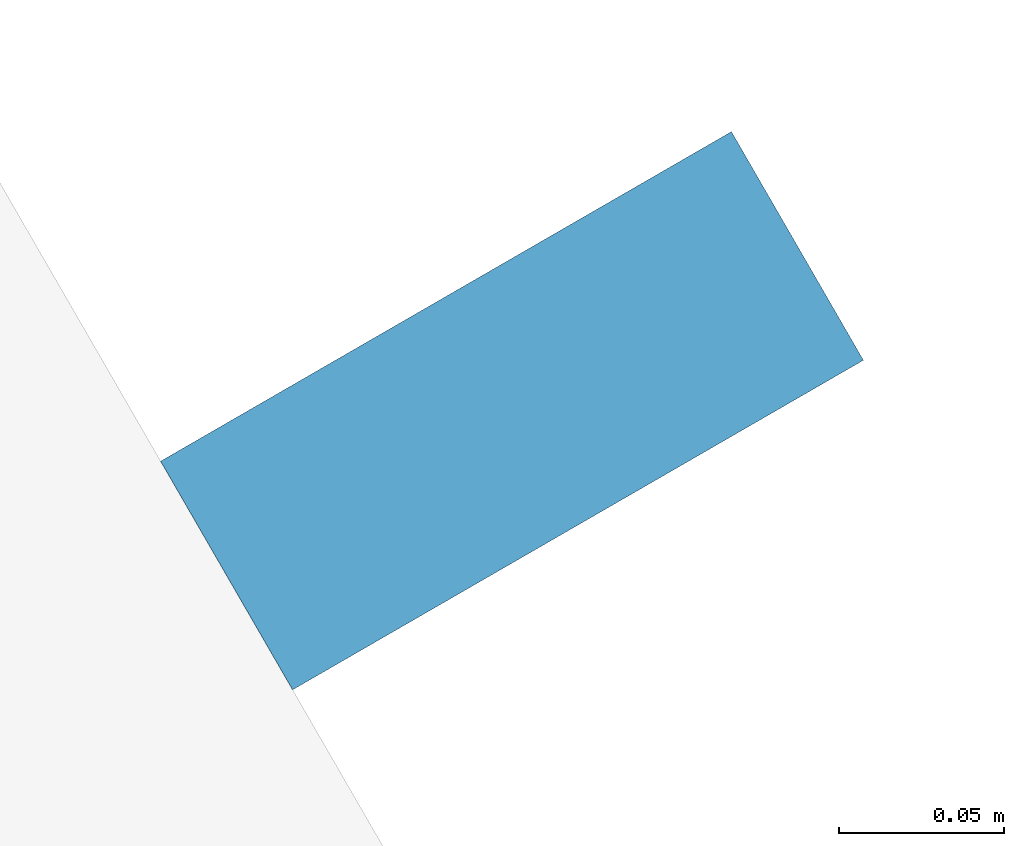
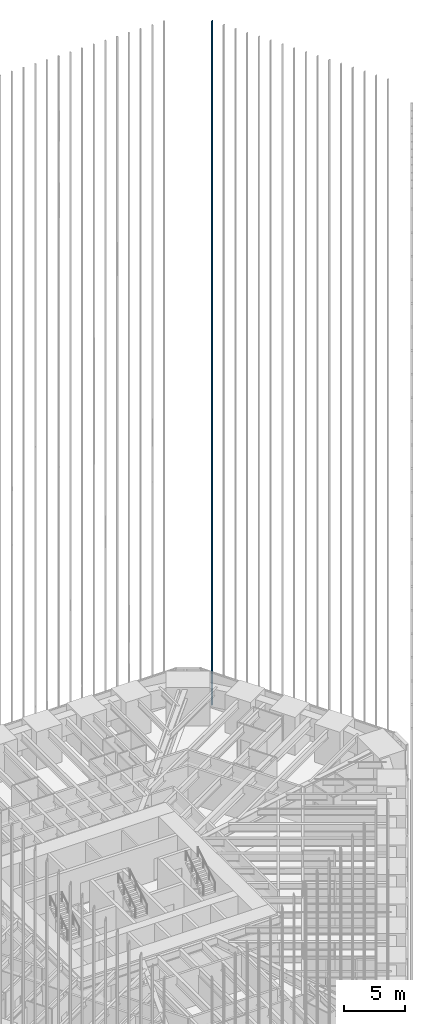
# One storey, part 248 of 256: 1 member, 1 element without a shape of its own.
"""IFC4 building model written with IfcOpenShell, lengths in metres."""

from ifc_helpers import new_model, si_unit, direction, frame, origin, origin_2d, place, context, subcontext, project, spatial, rectangle, extrude, material, material_profile, profile_set, type_object, element, aggregate, save


model = new_model("IFC4")

# Units and contexts
model_context = context("Model", 3, precision=1e-05, world=origin(), true_north=direction((0.0, 1.0)))
body_context = subcontext(model_context, "Body", "Model", "MODEL_VIEW")
ifc_project = project(units=[si_unit("LENGTHUNIT", "METRE"), si_unit("AREAUNIT", "SQUARE_METRE"), si_unit("VOLUMEUNIT", "CUBIC_METRE"), si_unit("PLANEANGLEUNIT", "RADIAN"), si_unit("MASSUNIT", "GRAM", prefix="KILO")], contexts=[model_context])

# Site, building, storey
site_placement = place(None, origin())
site = spatial("IfcSite", under=ifc_project, at=site_placement, CompositionType="ELEMENT")
building_placement = place(site_placement, origin())
building = spatial("IfcBuilding", under=site, at=building_placement, Name="Sandreach Pilgrim Tower", CompositionType="ELEMENT")
storey_placement = place(building_placement, frame((0.0, 0.0, 23.0)))
storey = spatial("IfcBuildingStorey", under=building, at=storey_placement, Name="L04", CompositionType="ELEMENT", Elevation=23.0)

# Curtain wall, member
ifc_material_1 = material(Name="Aluminium framed curtain wall", Category="aluminium")
curtain_wall_type = type_object("IfcCurtainWallType", Name="Hostel tower curtain wall", PredefinedType="NOTDEFINED", material=ifc_material_1)
curtain_wall_placement = place(storey_placement, origin())
curtain_wall = element("IfcCurtainWall", 1, at=curtain_wall_placement, inside=storey, type_object=curtain_wall_type, Name="CW-1 L04 NE", PredefinedType="NOTDEFINED")
ifc_material_2 = material(Name="Extruded terracotta on aluminium core", Category="masonry")
ifc_material_profile = material_profile(ifc_material_2, rectangle(XDim=0.080078125, YDim=0.199951171875, at=origin_2d()), Name="TBE 80X200")
ifc_profile_set = profile_set([ifc_material_profile], Name="Extruded terracotta on aluminium core")
member_type = type_object("IfcMemberType", Name="Terracotta baguette east", PredefinedType="USERDEFINED", material=ifc_profile_set)
member_placement = place(storey_placement, frame((22.188232421875, 22.390625, 0.0), z_axis=(0.0, 0.0, 1.0), x_axis=(0.5, -0.866025403784, 0.0)))
member = element("IfcMember", 2, at=member_placement, type_object=member_type, Name="Baguette Z1 NE01", ObjectType="BAGUETTE", PredefinedType="USERDEFINED", context=body_context, shape_type="SweptSolid", body=[
    extrude(rectangle(XDim=0.080078125, YDim=0.199951171875, at=origin_2d()), origin(), (0.0, 0.0, 1.0), 68.239990234375),
])
aggregate(curtain_wall, [member])

save(model, "model.ifc")
